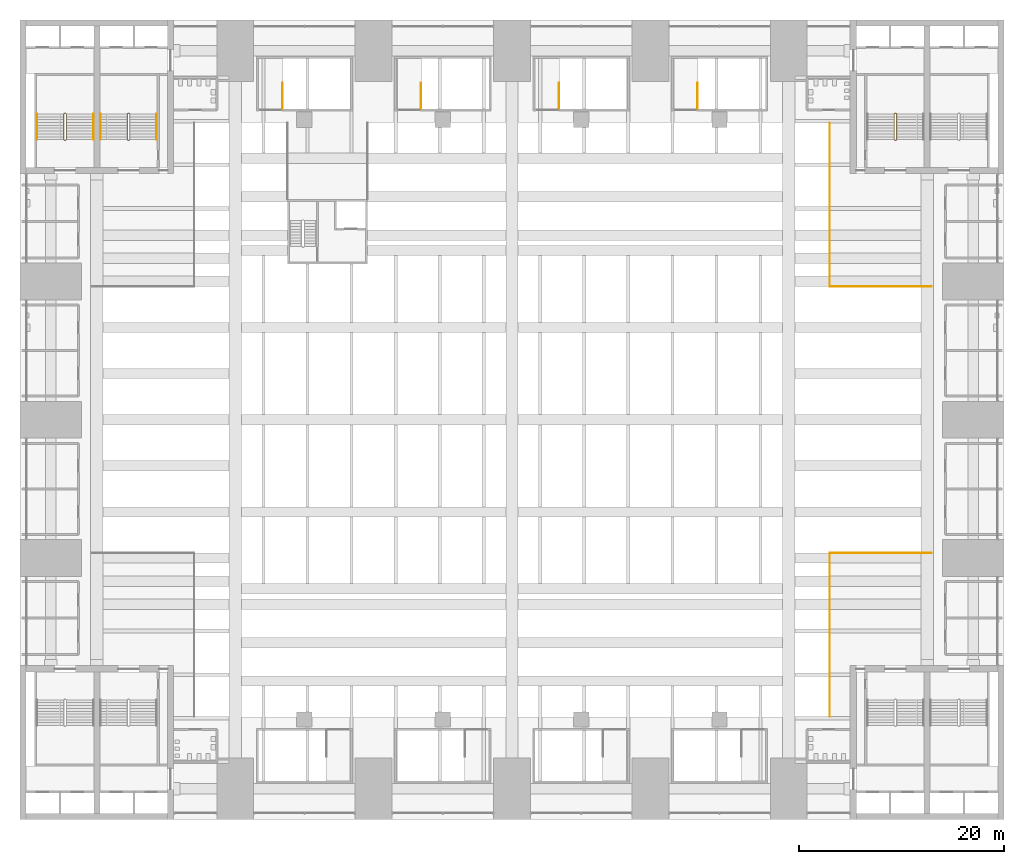
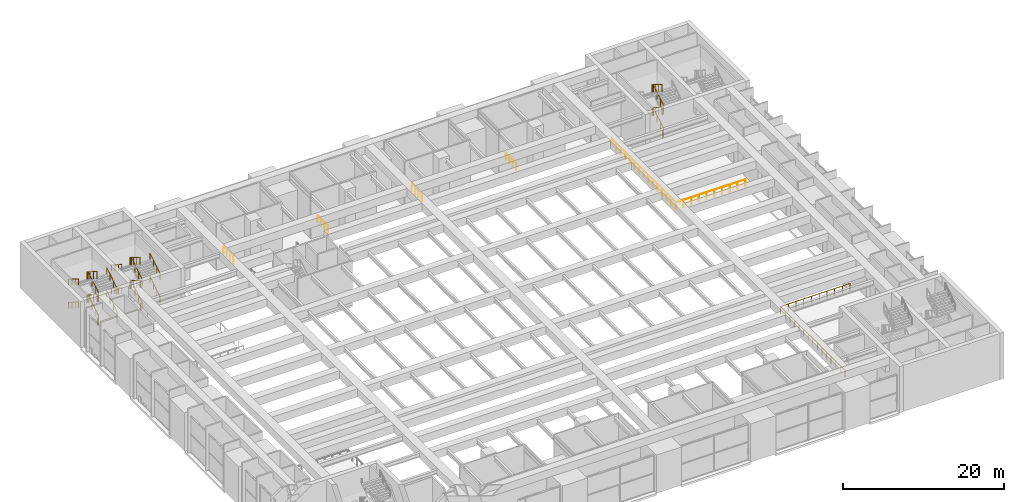
# One storey, part 43 of 45: 11 railings.
"""IFC4 building model written with IfcOpenShell, lengths in metres."""

from ifc_helpers import new_model, si_unit, direction, frame, origin, origin_2d, place, context, subcontext, project, spatial, circle, extrude, material, type_object, element, save


model = new_model("IFC4")

# Units and contexts
model_context = context("Model", 3, precision=1e-05, world=origin(), true_north=direction((0.0, 1.0)))
body_context = subcontext(model_context, "Body", "Model", "MODEL_VIEW")
ifc_project = project(units=[si_unit("LENGTHUNIT", "METRE"), si_unit("AREAUNIT", "SQUARE_METRE"), si_unit("VOLUMEUNIT", "CUBIC_METRE"), si_unit("PLANEANGLEUNIT", "RADIAN"), si_unit("MASSUNIT", "GRAM", prefix="KILO")], contexts=[model_context])

# Site, building, storey
site_placement = place(None, origin())
site = spatial("IfcSite", under=ifc_project, at=site_placement, CompositionType="ELEMENT")
building_placement = place(site_placement, origin())
building = spatial("IfcBuilding", under=site, at=building_placement, Name="Corbelhall Arena Tower", CompositionType="ELEMENT")
storey_placement = place(building_placement, frame((0.0, 0.0, 37.0)))
storey = spatial("IfcBuildingStorey", under=building, at=storey_placement, Name="L05", CompositionType="ELEMENT", Elevation=37.0)

# Railings
ifc_material_1 = material(Name="Stainless steel A4 and laminated glass", Category="steel")
railing_type_1 = type_object("IfcRailingType", Name="AR-GUARD-GLASS", PredefinedType="GUARDRAIL", material=ifc_material_1)
railing_1_placement = place(storey_placement, frame((31.0, 28.949951171875, 0.0)))
element("IfcRailing", 1, at=railing_1_placement, inside=storey, type_object=railing_type_1, Name="Bowl void guard L05 5", PredefinedType="GUARDRAIL", context=body_context, shape_type="SweptSolid", body=[
    extrude(circle(Radius=0.02392578125, at=origin_2d()), frame((0.0, 0.0, 1.076171875), z_axis=(0.0, -1.0, 0.0), x_axis=(1.0, 0.0, 0.0)), (0.0, 0.0, 1.0), 15.949951171875),
    extrude(circle(Radius=0.02392578125, at=origin_2d()), frame((0.0, -15.949951171875, 1.076171875), z_axis=(1.0, 0.0, 0.0), x_axis=(0.0, 1.0, 0.0)), (0.0, 0.0, 1.0), 9.949951171875),
    extrude(circle(Radius=0.02099609375, at=origin_2d()), origin(), (0.0, 0.0, 1.0), 1.052001953125),
    extrude(circle(Radius=0.02099609375, at=origin_2d()), frame((0.0, -1.13916015625, 0.0)), (0.0, 0.0, 1.0), 1.052001953125),
    extrude(circle(Radius=0.02099609375, at=origin_2d()), frame((0.0, -2.278564453125, 0.0)), (0.0, 0.0, 1.0), 1.052001953125),
    extrude(circle(Radius=0.02099609375, at=origin_2d()), frame((0.0, -3.41796875, 0.0)), (0.0, 0.0, 1.0), 1.052001953125),
    extrude(circle(Radius=0.02099609375, at=origin_2d()), frame((0.0, -4.55712890625, 0.0)), (0.0, 0.0, 1.0), 1.052001953125),
    extrude(circle(Radius=0.02099609375, at=origin_2d()), frame((0.0, -5.6962890625, 0.0)), (0.0, 0.0, 1.0), 1.052001953125),
    extrude(circle(Radius=0.02099609375, at=origin_2d()), frame((0.0, -6.835693359375, 0.0)), (0.0, 0.0, 1.0), 1.052001953125),
    extrude(circle(Radius=0.02099609375, at=origin_2d()), frame((0.0, -7.97509765625, 0.0)), (0.0, 0.0, 1.0), 1.052001953125),
    extrude(circle(Radius=0.02099609375, at=origin_2d()), frame((0.0, -9.1142578125, 0.0)), (0.0, 0.0, 1.0), 1.052001953125),
    extrude(circle(Radius=0.02099609375, at=origin_2d()), frame((0.0, -10.25341796875, 0.0)), (0.0, 0.0, 1.0), 1.052001953125),
    extrude(circle(Radius=0.02099609375, at=origin_2d()), frame((0.0, -11.392822265625, 0.0)), (0.0, 0.0, 1.0), 1.052001953125),
    extrude(circle(Radius=0.02099609375, at=origin_2d()), frame((0.0, -12.5322265625, 0.0)), (0.0, 0.0, 1.0), 1.052001953125),
    extrude(circle(Radius=0.02099609375, at=origin_2d()), frame((0.0, -13.67138671875, 0.0)), (0.0, 0.0, 1.0), 1.052001953125),
    extrude(circle(Radius=0.02099609375, at=origin_2d()), frame((0.0, -14.810546875, 0.0)), (0.0, 0.0, 1.0), 1.052001953125),
    extrude(circle(Radius=0.02099609375, at=origin_2d()), frame((0.0, -15.949951171875, 0.0)), (0.0, 0.0, 1.0), 1.052001953125),
    extrude(circle(Radius=0.02099609375, at=origin_2d()), frame((1.10546875, -15.949951171875, 0.0)), (0.0, 0.0, 1.0), 1.052001953125),
    extrude(circle(Radius=0.02099609375, at=origin_2d()), frame((2.211181640625, -15.949951171875, 0.0)), (0.0, 0.0, 1.0), 1.052001953125),
    extrude(circle(Radius=0.02099609375, at=origin_2d()), frame((3.316650390625, -15.949951171875, 0.0)), (0.0, 0.0, 1.0), 1.052001953125),
    extrude(circle(Radius=0.02099609375, at=origin_2d()), frame((4.422119140625, -15.949951171875, 0.0)), (0.0, 0.0, 1.0), 1.052001953125),
    extrude(circle(Radius=0.02099609375, at=origin_2d()), frame((5.52783203125, -15.949951171875, 0.0)), (0.0, 0.0, 1.0), 1.052001953125),
    extrude(circle(Radius=0.02099609375, at=origin_2d()), frame((6.63330078125, -15.949951171875, 0.0)), (0.0, 0.0, 1.0), 1.052001953125),
    extrude(circle(Radius=0.02099609375, at=origin_2d()), frame((7.73876953125, -15.949951171875, 0.0)), (0.0, 0.0, 1.0), 1.052001953125),
    extrude(circle(Radius=0.02099609375, at=origin_2d()), frame((8.844482421875, -15.949951171875, 0.0)), (0.0, 0.0, 1.0), 1.052001953125),
    extrude(circle(Radius=0.02099609375, at=origin_2d()), frame((9.949951171875, -15.949951171875, 0.0)), (0.0, 0.0, 1.0), 1.052001953125),
])
railing_2_placement = place(storey_placement, frame((40.949951171875, -13.0, 0.0)))
element("IfcRailing", 2, at=railing_2_placement, inside=storey, type_object=railing_type_1, Name="Bowl void guard L05 6", PredefinedType="GUARDRAIL", context=body_context, shape_type="SweptSolid", body=[
    extrude(circle(Radius=0.02392578125, at=origin_2d()), frame((0.0, 0.0, 1.076171875), z_axis=(-1.0, 0.0, 0.0), x_axis=(0.0, -1.0, 0.0)), (0.0, 0.0, 1.0), 9.949951171875),
    extrude(circle(Radius=0.02392578125, at=origin_2d()), frame((-9.949951171875, 0.0, 1.076171875), z_axis=(0.0, -1.0, 0.0), x_axis=(1.0, 0.0, 0.0)), (0.0, 0.0, 1.0), 15.949951171875),
    extrude(circle(Radius=0.02099609375, at=origin_2d()), origin(), (0.0, 0.0, 1.0), 1.052001953125),
    extrude(circle(Radius=0.02099609375, at=origin_2d()), frame((-1.10546875, 0.0, 0.0)), (0.0, 0.0, 1.0), 1.052001953125),
    extrude(circle(Radius=0.02099609375, at=origin_2d()), frame((-2.211181640625, 0.0, 0.0)), (0.0, 0.0, 1.0), 1.052001953125),
    extrude(circle(Radius=0.02099609375, at=origin_2d()), frame((-3.316650390625, 0.0, 0.0)), (0.0, 0.0, 1.0), 1.052001953125),
    extrude(circle(Radius=0.02099609375, at=origin_2d()), frame((-4.422119140625, 0.0, 0.0)), (0.0, 0.0, 1.0), 1.052001953125),
    extrude(circle(Radius=0.02099609375, at=origin_2d()), frame((-5.52783203125, 0.0, 0.0)), (0.0, 0.0, 1.0), 1.052001953125),
    extrude(circle(Radius=0.02099609375, at=origin_2d()), frame((-6.63330078125, 0.0, 0.0)), (0.0, 0.0, 1.0), 1.052001953125),
    extrude(circle(Radius=0.02099609375, at=origin_2d()), frame((-7.73876953125, 0.0, 0.0)), (0.0, 0.0, 1.0), 1.052001953125),
    extrude(circle(Radius=0.02099609375, at=origin_2d()), frame((-8.844482421875, 0.0, 0.0)), (0.0, 0.0, 1.0), 1.052001953125),
    extrude(circle(Radius=0.02099609375, at=origin_2d()), frame((-9.949951171875, 0.0, 0.0)), (0.0, 0.0, 1.0), 1.052001953125),
    extrude(circle(Radius=0.02099609375, at=origin_2d()), frame((-9.949951171875, -1.13916015625, 0.0)), (0.0, 0.0, 1.0), 1.052001953125),
    extrude(circle(Radius=0.02099609375, at=origin_2d()), frame((-9.949951171875, -2.278564453125, 0.0)), (0.0, 0.0, 1.0), 1.052001953125),
    extrude(circle(Radius=0.02099609375, at=origin_2d()), frame((-9.949951171875, -3.41796875, 0.0)), (0.0, 0.0, 1.0), 1.052001953125),
    extrude(circle(Radius=0.02099609375, at=origin_2d()), frame((-9.949951171875, -4.55712890625, 0.0)), (0.0, 0.0, 1.0), 1.052001953125),
    extrude(circle(Radius=0.02099609375, at=origin_2d()), frame((-9.949951171875, -5.6962890625, 0.0)), (0.0, 0.0, 1.0), 1.052001953125),
    extrude(circle(Radius=0.02099609375, at=origin_2d()), frame((-9.949951171875, -6.835693359375, 0.0)), (0.0, 0.0, 1.0), 1.052001953125),
    extrude(circle(Radius=0.02099609375, at=origin_2d()), frame((-9.949951171875, -7.97509765625, 0.0)), (0.0, 0.0, 1.0), 1.052001953125),
    extrude(circle(Radius=0.02099609375, at=origin_2d()), frame((-9.949951171875, -9.1142578125, 0.0)), (0.0, 0.0, 1.0), 1.052001953125),
    extrude(circle(Radius=0.02099609375, at=origin_2d()), frame((-9.949951171875, -10.25341796875, 0.0)), (0.0, 0.0, 1.0), 1.052001953125),
    extrude(circle(Radius=0.02099609375, at=origin_2d()), frame((-9.949951171875, -11.392822265625, 0.0)), (0.0, 0.0, 1.0), 1.052001953125),
    extrude(circle(Radius=0.02099609375, at=origin_2d()), frame((-9.949951171875, -12.5322265625, 0.0)), (0.0, 0.0, 1.0), 1.052001953125),
    extrude(circle(Radius=0.02099609375, at=origin_2d()), frame((-9.949951171875, -13.67138671875, 0.0)), (0.0, 0.0, 1.0), 1.052001953125),
    extrude(circle(Radius=0.02099609375, at=origin_2d()), frame((-9.949951171875, -14.810546875, 0.0)), (0.0, 0.0, 1.0), 1.052001953125),
    extrude(circle(Radius=0.02099609375, at=origin_2d()), frame((-9.949951171875, -15.949951171875, 0.0)), (0.0, 0.0, 1.0), 1.052001953125),
])
ifc_material_2 = material(Name="Stainless steel A4", Category="steel")
railing_type_2 = type_object("IfcRailingType", Name="AR-STAIR-GUARD", PredefinedType="GUARDRAIL", material=ifc_material_2)
for number, where, name in (
    (3, (-22.39990234375, 30.300048828125, 0.0), "L05 AS9 top well guards"),
    (4, (-8.89990234375, 30.300048828125, 0.0), "L05 AS10 top well guards"),
    (5, (4.60009765625, 30.300048828125, 0.0), "L05 AS11 top well guards"),
    (6, (18.10009765625, 30.300048828125, 0.0), "L05 AS12 top well guards"),
):
    element("IfcRailing", number, at=place(storey_placement, frame(where)), inside=storey, type_object=railing_type_2, Name=name, PredefinedType="GUARDRAIL", context=body_context, shape_type="SweptSolid", body=[
        extrude(circle(Radius=0.02392578125, at=origin_2d()), frame((0.0, 0.0, 1.076171875), z_axis=(0.0, 1.0, 0.0), x_axis=(-1.0, 0.0, 0.0)), (0.0, 0.0, 1.0), 2.550048828125),
        extrude(circle(Radius=0.02099609375, at=origin_2d()), origin(), (0.0, 0.0, 1.0), 1.052001953125),
        extrude(circle(Radius=0.02099609375, at=origin_2d()), frame((0.0, 0.85009765625, 0.0)), (0.0, 0.0, 1.0), 1.052001953125),
        extrude(circle(Radius=0.02099609375, at=origin_2d()), frame((0.0, 1.699951171875, 0.0)), (0.0, 0.0, 1.0), 1.052001953125),
        extrude(circle(Radius=0.02099609375, at=origin_2d()), frame((0.0, 2.550048828125, 0.0)), (0.0, 0.0, 1.0), 1.052001953125),
    ])
railing_3_placement = place(storey_placement, frame((37.530029296875, 27.320068359375, 0.175048828125)))
element("IfcRailing", 7, at=railing_3_placement, inside=storey, type_object=railing_type_2, Name="L05 AS1 stair guards", PredefinedType="GUARDRAIL", context=body_context, shape_type="SweptSolid", body=[
    extrude(circle(Radius=0.02392578125, at=origin_2d()), frame((0.0, 0.0, 1.076171875), z_axis=(0.0, 0.848007534815, 0.529984170421), x_axis=(-1.0, 0.0, 0.0)), (0.0, 0.0, 1.0), 2.9716796875),
    extrude(circle(Radius=0.02392578125, at=origin_2d()), frame((-0.050048828125, 2.56982421875, 2.65087890625), z_axis=(-1.0, 0.0, 0.0), x_axis=(0.0, -1.0, 0.0)), (0.0, 0.0, 1.0), 0.14990234375),
    extrude(circle(Radius=0.02392578125, at=origin_2d()), frame((-0.25, 2.52001953125, 2.826171875), z_axis=(0.0, -0.848007534815, 0.529984170421), x_axis=(1.0, 0.0, 0.0)), (0.0, 0.0, 1.0), 2.9716796875),
    extrude(circle(Radius=0.02392578125, at=origin_2d()), frame((-0.050048828125, -0.050048828125, 4.40087890625), z_axis=(-1.0, 0.0, 0.0), x_axis=(0.0, -1.0, 0.0)), (0.0, 0.0, 1.0), 0.14990234375),
    extrude(circle(Radius=0.02392578125, at=origin_2d()), frame((0.0, 0.0, 4.576171875), z_axis=(0.0, 0.848007534815, 0.529984170421), x_axis=(-1.0, 0.0, 0.0)), (0.0, 0.0, 1.0), 2.9716796875),
    extrude(circle(Radius=0.02392578125, at=origin_2d()), frame((-0.050048828125, 2.56982421875, 6.15087890625), z_axis=(-1.0, 0.0, 0.0), x_axis=(0.0, -1.0, 0.0)), (0.0, 0.0, 1.0), 0.14990234375),
    extrude(circle(Radius=0.02392578125, at=origin_2d()), frame((-0.25, 2.52001953125, 6.326171875), z_axis=(0.0, -0.848007534815, 0.529984170421), x_axis=(1.0, 0.0, 0.0)), (0.0, 0.0, 1.0), 2.9716796875),
    extrude(circle(Radius=0.02392578125, at=origin_2d()), frame((-0.050048828125, -0.050048828125, 0.90087890625), z_axis=(-1.0, 0.0, 0.0), x_axis=(0.0, -1.0, 0.0)), (0.0, 0.0, 1.0), 0.14990234375),
    extrude(circle(Radius=0.02099609375, at=origin_2d()), origin(), (0.0, 0.0, 1.0), 1.052001953125),
    extrude(circle(Radius=0.02099609375, at=origin_2d()), frame((0.0, 0.840087890625, 0.52490234375)), (0.0, 0.0, 1.0), 1.052001953125),
    extrude(circle(Radius=0.02099609375, at=origin_2d()), frame((0.0, 1.679931640625, 1.050048828125)), (0.0, 0.0, 1.0), 1.052001953125),
    extrude(circle(Radius=0.02099609375, at=origin_2d()), frame((0.0, 2.52001953125, 1.574951171875)), (0.0, 0.0, 1.0), 1.052001953125),
    extrude(circle(Radius=0.02099609375, at=origin_2d()), frame((-0.050048828125, 2.56982421875, 1.574951171875)), (0.0, 0.0, 1.0), 1.052001953125),
    extrude(circle(Radius=0.02099609375, at=origin_2d()), frame((-0.199951171875, 2.56982421875, 1.574951171875)), (0.0, 0.0, 1.0), 1.052001953125),
    extrude(circle(Radius=0.02099609375, at=origin_2d()), frame((-0.25, 2.52001953125, 1.75)), (0.0, 0.0, 1.0), 1.052001953125),
    extrude(circle(Radius=0.02099609375, at=origin_2d()), frame((-0.25, 1.679931640625, 2.27490234375)), (0.0, 0.0, 1.0), 1.052001953125),
    extrude(circle(Radius=0.02099609375, at=origin_2d()), frame((-0.25, 0.840087890625, 2.800048828125)), (0.0, 0.0, 1.0), 1.052001953125),
    extrude(circle(Radius=0.02099609375, at=origin_2d()), frame((-0.25, 0.0, 3.324951171875)), (0.0, 0.0, 1.0), 1.052001953125),
    extrude(circle(Radius=0.02099609375, at=origin_2d()), frame((-0.050048828125, -0.050048828125, 3.324951171875)), (0.0, 0.0, 1.0), 1.052001953125),
    extrude(circle(Radius=0.02099609375, at=origin_2d()), frame((-0.199951171875, -0.050048828125, 3.324951171875)), (0.0, 0.0, 1.0), 1.052001953125),
    extrude(circle(Radius=0.02099609375, at=origin_2d()), frame((0.0, 0.0, 3.5)), (0.0, 0.0, 1.0), 1.052001953125),
    extrude(circle(Radius=0.02099609375, at=origin_2d()), frame((0.0, 0.840087890625, 4.02490234375)), (0.0, 0.0, 1.0), 1.052001953125),
    extrude(circle(Radius=0.02099609375, at=origin_2d()), frame((0.0, 1.679931640625, 4.550048828125)), (0.0, 0.0, 1.0), 1.052001953125),
    extrude(circle(Radius=0.02099609375, at=origin_2d()), frame((0.0, 2.52001953125, 5.074951171875)), (0.0, 0.0, 1.0), 1.052001953125),
    extrude(circle(Radius=0.02099609375, at=origin_2d()), frame((-0.050048828125, 2.56982421875, 5.074951171875)), (0.0, 0.0, 1.0), 1.052001953125),
    extrude(circle(Radius=0.02099609375, at=origin_2d()), frame((-0.199951171875, 2.56982421875, 5.074951171875)), (0.0, 0.0, 1.0), 1.052001953125),
    extrude(circle(Radius=0.02099609375, at=origin_2d()), frame((-0.25, 2.52001953125, 5.25)), (0.0, 0.0, 1.0), 1.052001953125),
    extrude(circle(Radius=0.02099609375, at=origin_2d()), frame((-0.25, 1.679931640625, 5.77490234375)), (0.0, 0.0, 1.0), 1.052001953125),
    extrude(circle(Radius=0.02099609375, at=origin_2d()), frame((-0.25, 0.840087890625, 6.300048828125)), (0.0, 0.0, 1.0), 1.052001953125),
    extrude(circle(Radius=0.02099609375, at=origin_2d()), frame((-0.25, 0.0, 6.824951171875)), (0.0, 0.0, 1.0), 1.052001953125),
    extrude(circle(Radius=0.02099609375, at=origin_2d()), frame((-0.050048828125, -0.050048828125, -0.175048828125)), (0.0, 0.0, 1.0), 1.052001953125),
    extrude(circle(Radius=0.02099609375, at=origin_2d()), frame((-0.199951171875, -0.050048828125, -0.175048828125)), (0.0, 0.0, 1.0), 1.052001953125),
])
railing_4_placement = place(storey_placement, frame((-37.280029296875, 27.320068359375, 0.175048828125)))
element("IfcRailing", 8, at=railing_4_placement, inside=storey, type_object=railing_type_2, Name="L05 AS3 stair guards", PredefinedType="GUARDRAIL", context=body_context, shape_type="SweptSolid", body=[
    extrude(circle(Radius=0.02392578125, at=origin_2d()), frame((0.0, 0.0, 1.076171875), z_axis=(0.0, 0.848007534815, 0.529984170421), x_axis=(-1.0, 0.0, 0.0)), (0.0, 0.0, 1.0), 2.9716796875),
    extrude(circle(Radius=0.02392578125, at=origin_2d()), frame((-0.050048828125, 2.56982421875, 2.65087890625), z_axis=(-1.0, 0.0, 0.0), x_axis=(0.0, -1.0, 0.0)), (0.0, 0.0, 1.0), 0.14990234375),
    extrude(circle(Radius=0.02392578125, at=origin_2d()), frame((-0.25, 2.52001953125, 2.826171875), z_axis=(0.0, -0.848007534815, 0.529984170421), x_axis=(1.0, 0.0, 0.0)), (0.0, 0.0, 1.0), 2.9716796875),
    extrude(circle(Radius=0.02392578125, at=origin_2d()), frame((-0.050048828125, -0.050048828125, 4.40087890625), z_axis=(-1.0, 0.0, 0.0), x_axis=(0.0, -1.0, 0.0)), (0.0, 0.0, 1.0), 0.14990234375),
    extrude(circle(Radius=0.02392578125, at=origin_2d()), frame((0.0, 0.0, 4.576171875), z_axis=(0.0, 0.848007534815, 0.529984170421), x_axis=(-1.0, 0.0, 0.0)), (0.0, 0.0, 1.0), 2.9716796875),
    extrude(circle(Radius=0.02392578125, at=origin_2d()), frame((-0.050048828125, 2.56982421875, 6.15087890625), z_axis=(-1.0, 0.0, 0.0), x_axis=(0.0, -1.0, 0.0)), (0.0, 0.0, 1.0), 0.14990234375),
    extrude(circle(Radius=0.02392578125, at=origin_2d()), frame((-0.25, 2.52001953125, 6.326171875), z_axis=(0.0, -0.848007534815, 0.529984170421), x_axis=(1.0, 0.0, 0.0)), (0.0, 0.0, 1.0), 2.9716796875),
    extrude(circle(Radius=0.02392578125, at=origin_2d()), frame((-0.050048828125, -0.050048828125, 0.90087890625), z_axis=(-1.0, 0.0, 0.0), x_axis=(0.0, -1.0, 0.0)), (0.0, 0.0, 1.0), 0.14990234375),
    extrude(circle(Radius=0.02099609375, at=origin_2d()), origin(), (0.0, 0.0, 1.0), 1.052001953125),
    extrude(circle(Radius=0.02099609375, at=origin_2d()), frame((0.0, 0.840087890625, 0.52490234375)), (0.0, 0.0, 1.0), 1.052001953125),
    extrude(circle(Radius=0.02099609375, at=origin_2d()), frame((0.0, 1.679931640625, 1.050048828125)), (0.0, 0.0, 1.0), 1.052001953125),
    extrude(circle(Radius=0.02099609375, at=origin_2d()), frame((0.0, 2.52001953125, 1.574951171875)), (0.0, 0.0, 1.0), 1.052001953125),
    extrude(circle(Radius=0.02099609375, at=origin_2d()), frame((-0.050048828125, 2.56982421875, 1.574951171875)), (0.0, 0.0, 1.0), 1.052001953125),
    extrude(circle(Radius=0.02099609375, at=origin_2d()), frame((-0.199951171875, 2.56982421875, 1.574951171875)), (0.0, 0.0, 1.0), 1.052001953125),
    extrude(circle(Radius=0.02099609375, at=origin_2d()), frame((-0.25, 2.52001953125, 1.75)), (0.0, 0.0, 1.0), 1.052001953125),
    extrude(circle(Radius=0.02099609375, at=origin_2d()), frame((-0.25, 1.679931640625, 2.27490234375)), (0.0, 0.0, 1.0), 1.052001953125),
    extrude(circle(Radius=0.02099609375, at=origin_2d()), frame((-0.25, 0.840087890625, 2.800048828125)), (0.0, 0.0, 1.0), 1.052001953125),
    extrude(circle(Radius=0.02099609375, at=origin_2d()), frame((-0.25, 0.0, 3.324951171875)), (0.0, 0.0, 1.0), 1.052001953125),
    extrude(circle(Radius=0.02099609375, at=origin_2d()), frame((-0.050048828125, -0.050048828125, 3.324951171875)), (0.0, 0.0, 1.0), 1.052001953125),
    extrude(circle(Radius=0.02099609375, at=origin_2d()), frame((-0.199951171875, -0.050048828125, 3.324951171875)), (0.0, 0.0, 1.0), 1.052001953125),
    extrude(circle(Radius=0.02099609375, at=origin_2d()), frame((0.0, 0.0, 3.5)), (0.0, 0.0, 1.0), 1.052001953125),
    extrude(circle(Radius=0.02099609375, at=origin_2d()), frame((0.0, 0.840087890625, 4.02490234375)), (0.0, 0.0, 1.0), 1.052001953125),
    extrude(circle(Radius=0.02099609375, at=origin_2d()), frame((0.0, 1.679931640625, 4.550048828125)), (0.0, 0.0, 1.0), 1.052001953125),
    extrude(circle(Radius=0.02099609375, at=origin_2d()), frame((0.0, 2.52001953125, 5.074951171875)), (0.0, 0.0, 1.0), 1.052001953125),
    extrude(circle(Radius=0.02099609375, at=origin_2d()), frame((-0.050048828125, 2.56982421875, 5.074951171875)), (0.0, 0.0, 1.0), 1.052001953125),
    extrude(circle(Radius=0.02099609375, at=origin_2d()), frame((-0.199951171875, 2.56982421875, 5.074951171875)), (0.0, 0.0, 1.0), 1.052001953125),
    extrude(circle(Radius=0.02099609375, at=origin_2d()), frame((-0.25, 2.52001953125, 5.25)), (0.0, 0.0, 1.0), 1.052001953125),
    extrude(circle(Radius=0.02099609375, at=origin_2d()), frame((-0.25, 1.679931640625, 5.77490234375)), (0.0, 0.0, 1.0), 1.052001953125),
    extrude(circle(Radius=0.02099609375, at=origin_2d()), frame((-0.25, 0.840087890625, 6.300048828125)), (0.0, 0.0, 1.0), 1.052001953125),
    extrude(circle(Radius=0.02099609375, at=origin_2d()), frame((-0.25, 0.0, 6.824951171875)), (0.0, 0.0, 1.0), 1.052001953125),
    extrude(circle(Radius=0.02099609375, at=origin_2d()), frame((-0.050048828125, -0.050048828125, -0.175048828125)), (0.0, 0.0, 1.0), 1.052001953125),
    extrude(circle(Radius=0.02099609375, at=origin_2d()), frame((-0.199951171875, -0.050048828125, -0.175048828125)), (0.0, 0.0, 1.0), 1.052001953125),
])
railing_5_placement = place(storey_placement, frame((-43.469970703125, 27.320068359375, 0.175048828125)))
element("IfcRailing", 9, at=railing_5_placement, inside=storey, type_object=railing_type_2, Name="L05 AS4 stair guards", PredefinedType="GUARDRAIL", context=body_context, shape_type="SweptSolid", body=[
    extrude(circle(Radius=0.02392578125, at=origin_2d()), frame((0.0, 0.0, 1.076171875), z_axis=(0.0, 0.848007534815, 0.529984170421), x_axis=(-1.0, 0.0, 0.0)), (0.0, 0.0, 1.0), 2.9716796875),
    extrude(circle(Radius=0.02392578125, at=origin_2d()), frame((-0.050048828125, 2.56982421875, 2.65087890625), z_axis=(-1.0, 0.0, 0.0), x_axis=(0.0, -1.0, 0.0)), (0.0, 0.0, 1.0), 0.14990234375),
    extrude(circle(Radius=0.02392578125, at=origin_2d()), frame((-0.25, 2.52001953125, 2.826171875), z_axis=(0.0, -0.848007534815, 0.529984170421), x_axis=(1.0, 0.0, 0.0)), (0.0, 0.0, 1.0), 2.9716796875),
    extrude(circle(Radius=0.02392578125, at=origin_2d()), frame((-0.050048828125, -0.050048828125, 4.40087890625), z_axis=(-1.0, 0.0, 0.0), x_axis=(0.0, -1.0, 0.0)), (0.0, 0.0, 1.0), 0.14990234375),
    extrude(circle(Radius=0.02392578125, at=origin_2d()), frame((0.0, 0.0, 4.576171875), z_axis=(0.0, 0.848007534815, 0.529984170421), x_axis=(-1.0, 0.0, 0.0)), (0.0, 0.0, 1.0), 2.9716796875),
    extrude(circle(Radius=0.02392578125, at=origin_2d()), frame((-0.050048828125, 2.56982421875, 6.15087890625), z_axis=(-1.0, 0.0, 0.0), x_axis=(0.0, -1.0, 0.0)), (0.0, 0.0, 1.0), 0.14990234375),
    extrude(circle(Radius=0.02392578125, at=origin_2d()), frame((-0.25, 2.52001953125, 6.326171875), z_axis=(0.0, -0.848007534815, 0.529984170421), x_axis=(1.0, 0.0, 0.0)), (0.0, 0.0, 1.0), 2.9716796875),
    extrude(circle(Radius=0.02392578125, at=origin_2d()), frame((-0.050048828125, -0.050048828125, 0.90087890625), z_axis=(-1.0, 0.0, 0.0), x_axis=(0.0, -1.0, 0.0)), (0.0, 0.0, 1.0), 0.14990234375),
    extrude(circle(Radius=0.02099609375, at=origin_2d()), origin(), (0.0, 0.0, 1.0), 1.052001953125),
    extrude(circle(Radius=0.02099609375, at=origin_2d()), frame((0.0, 0.840087890625, 0.52490234375)), (0.0, 0.0, 1.0), 1.052001953125),
    extrude(circle(Radius=0.02099609375, at=origin_2d()), frame((0.0, 1.679931640625, 1.050048828125)), (0.0, 0.0, 1.0), 1.052001953125),
    extrude(circle(Radius=0.02099609375, at=origin_2d()), frame((0.0, 2.52001953125, 1.574951171875)), (0.0, 0.0, 1.0), 1.052001953125),
    extrude(circle(Radius=0.02099609375, at=origin_2d()), frame((-0.050048828125, 2.56982421875, 1.574951171875)), (0.0, 0.0, 1.0), 1.052001953125),
    extrude(circle(Radius=0.02099609375, at=origin_2d()), frame((-0.199951171875, 2.56982421875, 1.574951171875)), (0.0, 0.0, 1.0), 1.052001953125),
    extrude(circle(Radius=0.02099609375, at=origin_2d()), frame((-0.25, 2.52001953125, 1.75)), (0.0, 0.0, 1.0), 1.052001953125),
    extrude(circle(Radius=0.02099609375, at=origin_2d()), frame((-0.25, 1.679931640625, 2.27490234375)), (0.0, 0.0, 1.0), 1.052001953125),
    extrude(circle(Radius=0.02099609375, at=origin_2d()), frame((-0.25, 0.840087890625, 2.800048828125)), (0.0, 0.0, 1.0), 1.052001953125),
    extrude(circle(Radius=0.02099609375, at=origin_2d()), frame((-0.25, 0.0, 3.324951171875)), (0.0, 0.0, 1.0), 1.052001953125),
    extrude(circle(Radius=0.02099609375, at=origin_2d()), frame((-0.050048828125, -0.050048828125, 3.324951171875)), (0.0, 0.0, 1.0), 1.052001953125),
    extrude(circle(Radius=0.02099609375, at=origin_2d()), frame((-0.199951171875, -0.050048828125, 3.324951171875)), (0.0, 0.0, 1.0), 1.052001953125),
    extrude(circle(Radius=0.02099609375, at=origin_2d()), frame((0.0, 0.0, 3.5)), (0.0, 0.0, 1.0), 1.052001953125),
    extrude(circle(Radius=0.02099609375, at=origin_2d()), frame((0.0, 0.840087890625, 4.02490234375)), (0.0, 0.0, 1.0), 1.052001953125),
    extrude(circle(Radius=0.02099609375, at=origin_2d()), frame((0.0, 1.679931640625, 4.550048828125)), (0.0, 0.0, 1.0), 1.052001953125),
    extrude(circle(Radius=0.02099609375, at=origin_2d()), frame((0.0, 2.52001953125, 5.074951171875)), (0.0, 0.0, 1.0), 1.052001953125),
    extrude(circle(Radius=0.02099609375, at=origin_2d()), frame((-0.050048828125, 2.56982421875, 5.074951171875)), (0.0, 0.0, 1.0), 1.052001953125),
    extrude(circle(Radius=0.02099609375, at=origin_2d()), frame((-0.199951171875, 2.56982421875, 5.074951171875)), (0.0, 0.0, 1.0), 1.052001953125),
    extrude(circle(Radius=0.02099609375, at=origin_2d()), frame((-0.25, 2.52001953125, 5.25)), (0.0, 0.0, 1.0), 1.052001953125),
    extrude(circle(Radius=0.02099609375, at=origin_2d()), frame((-0.25, 1.679931640625, 5.77490234375)), (0.0, 0.0, 1.0), 1.052001953125),
    extrude(circle(Radius=0.02099609375, at=origin_2d()), frame((-0.25, 0.840087890625, 6.300048828125)), (0.0, 0.0, 1.0), 1.052001953125),
    extrude(circle(Radius=0.02099609375, at=origin_2d()), frame((-0.25, 0.0, 6.824951171875)), (0.0, 0.0, 1.0), 1.052001953125),
    extrude(circle(Radius=0.02099609375, at=origin_2d()), frame((-0.050048828125, -0.050048828125, -0.175048828125)), (0.0, 0.0, 1.0), 1.052001953125),
    extrude(circle(Radius=0.02099609375, at=origin_2d()), frame((-0.199951171875, -0.050048828125, -0.175048828125)), (0.0, 0.0, 1.0), 1.052001953125),
])
railing_type_3 = type_object("IfcRailingType", Name="AR-STAIR-HANDRAIL", PredefinedType="HANDRAIL", material=ifc_material_2)
railing_6_placement = place(storey_placement, frame((-34.659912109375, 27.320068359375, 0.175048828125)))
element("IfcRailing", 10, at=railing_6_placement, inside=storey, type_object=railing_type_3, Name="L05 AS3 stair handrails", PredefinedType="HANDRAIL", context=body_context, shape_type="SweptSolid", body=[
    extrude(circle(Radius=0.02392578125, at=origin_2d()), frame((0.0, 0.0, 0.8759765625), z_axis=(0.0, 0.848007534815, 0.529984170421), x_axis=(-1.0, 0.0, 0.0)), (0.0, 0.0, 1.0), 2.9716796875),
    extrude(circle(Radius=0.02392578125, at=origin_2d()), frame((-5.489990234375, 2.52001953125, 2.6259765625), z_axis=(0.0, -0.848007534815, 0.529984170421), x_axis=(1.0, 0.0, 0.0)), (0.0, 0.0, 1.0), 2.9716796875),
    extrude(circle(Radius=0.02392578125, at=origin_2d()), frame((0.0, 0.0, 4.3759765625), z_axis=(0.0, 0.848007534815, 0.529984170421), x_axis=(-1.0, 0.0, 0.0)), (0.0, 0.0, 1.0), 2.9716796875),
    extrude(circle(Radius=0.02392578125, at=origin_2d()), frame((-5.489990234375, 2.52001953125, 6.1259765625), z_axis=(0.0, -0.848007534815, 0.529984170421), x_axis=(1.0, 0.0, 0.0)), (0.0, 0.0, 1.0), 2.9716796875),
    extrude(circle(Radius=0.02099609375, at=origin_2d()), origin(), (0.0, 0.0, 1.0), 0.851806640625),
    extrude(circle(Radius=0.02099609375, at=origin_2d()), frame((0.0, 0.840087890625, 0.52490234375)), (0.0, 0.0, 1.0), 0.851806640625),
    extrude(circle(Radius=0.02099609375, at=origin_2d()), frame((0.0, 1.679931640625, 1.050048828125)), (0.0, 0.0, 1.0), 0.851806640625),
    extrude(circle(Radius=0.02099609375, at=origin_2d()), frame((0.0, 2.52001953125, 1.574951171875)), (0.0, 0.0, 1.0), 0.851806640625),
    extrude(circle(Radius=0.02099609375, at=origin_2d()), frame((-5.489990234375, 2.52001953125, 1.75)), (0.0, 0.0, 1.0), 0.851806640625),
    extrude(circle(Radius=0.02099609375, at=origin_2d()), frame((-5.489990234375, 1.679931640625, 2.27490234375)), (0.0, 0.0, 1.0), 0.851806640625),
    extrude(circle(Radius=0.02099609375, at=origin_2d()), frame((-5.489990234375, 0.840087890625, 2.800048828125)), (0.0, 0.0, 1.0), 0.851806640625),
    extrude(circle(Radius=0.02099609375, at=origin_2d()), frame((-5.489990234375, 0.0, 3.324951171875)), (0.0, 0.0, 1.0), 0.851806640625),
    extrude(circle(Radius=0.02099609375, at=origin_2d()), frame((0.0, 0.0, 3.5)), (0.0, 0.0, 1.0), 0.851806640625),
    extrude(circle(Radius=0.02099609375, at=origin_2d()), frame((0.0, 0.840087890625, 4.02490234375)), (0.0, 0.0, 1.0), 0.851806640625),
    extrude(circle(Radius=0.02099609375, at=origin_2d()), frame((0.0, 1.679931640625, 4.550048828125)), (0.0, 0.0, 1.0), 0.851806640625),
    extrude(circle(Radius=0.02099609375, at=origin_2d()), frame((0.0, 2.52001953125, 5.074951171875)), (0.0, 0.0, 1.0), 0.851806640625),
    extrude(circle(Radius=0.02099609375, at=origin_2d()), frame((-5.489990234375, 2.52001953125, 5.25)), (0.0, 0.0, 1.0), 0.851806640625),
    extrude(circle(Radius=0.02099609375, at=origin_2d()), frame((-5.489990234375, 1.679931640625, 5.77490234375)), (0.0, 0.0, 1.0), 0.851806640625),
    extrude(circle(Radius=0.02099609375, at=origin_2d()), frame((-5.489990234375, 0.840087890625, 6.300048828125)), (0.0, 0.0, 1.0), 0.851806640625),
    extrude(circle(Radius=0.02099609375, at=origin_2d()), frame((-5.489990234375, 0.0, 6.824951171875)), (0.0, 0.0, 1.0), 0.851806640625),
])
railing_7_placement = place(storey_placement, frame((-40.85009765625, 27.320068359375, 0.175048828125)))
element("IfcRailing", 11, at=railing_7_placement, inside=storey, type_object=railing_type_3, Name="L05 AS4 stair handrails", PredefinedType="HANDRAIL", context=body_context, shape_type="SweptSolid", body=[
    extrude(circle(Radius=0.02392578125, at=origin_2d()), frame((0.0, 0.0, 0.8759765625), z_axis=(0.0, 0.848007534815, 0.529984170421), x_axis=(-1.0, 0.0, 0.0)), (0.0, 0.0, 1.0), 2.9716796875),
    extrude(circle(Radius=0.02392578125, at=origin_2d()), frame((-5.489990234375, 2.52001953125, 2.6259765625), z_axis=(0.0, -0.848007534815, 0.529984170421), x_axis=(1.0, 0.0, 0.0)), (0.0, 0.0, 1.0), 2.9716796875),
    extrude(circle(Radius=0.02392578125, at=origin_2d()), frame((0.0, 0.0, 4.3759765625), z_axis=(0.0, 0.848007534815, 0.529984170421), x_axis=(-1.0, 0.0, 0.0)), (0.0, 0.0, 1.0), 2.9716796875),
    extrude(circle(Radius=0.02392578125, at=origin_2d()), frame((-5.489990234375, 2.52001953125, 6.1259765625), z_axis=(0.0, -0.848007534815, 0.529984170421), x_axis=(1.0, 0.0, 0.0)), (0.0, 0.0, 1.0), 2.9716796875),
    extrude(circle(Radius=0.02099609375, at=origin_2d()), origin(), (0.0, 0.0, 1.0), 0.851806640625),
    extrude(circle(Radius=0.02099609375, at=origin_2d()), frame((0.0, 0.840087890625, 0.52490234375)), (0.0, 0.0, 1.0), 0.851806640625),
    extrude(circle(Radius=0.02099609375, at=origin_2d()), frame((0.0, 1.679931640625, 1.050048828125)), (0.0, 0.0, 1.0), 0.851806640625),
    extrude(circle(Radius=0.02099609375, at=origin_2d()), frame((0.0, 2.52001953125, 1.574951171875)), (0.0, 0.0, 1.0), 0.851806640625),
    extrude(circle(Radius=0.02099609375, at=origin_2d()), frame((-5.489990234375, 2.52001953125, 1.75)), (0.0, 0.0, 1.0), 0.851806640625),
    extrude(circle(Radius=0.02099609375, at=origin_2d()), frame((-5.489990234375, 1.679931640625, 2.27490234375)), (0.0, 0.0, 1.0), 0.851806640625),
    extrude(circle(Radius=0.02099609375, at=origin_2d()), frame((-5.489990234375, 0.840087890625, 2.800048828125)), (0.0, 0.0, 1.0), 0.851806640625),
    extrude(circle(Radius=0.02099609375, at=origin_2d()), frame((-5.489990234375, 0.0, 3.324951171875)), (0.0, 0.0, 1.0), 0.851806640625),
    extrude(circle(Radius=0.02099609375, at=origin_2d()), frame((0.0, 0.0, 3.5)), (0.0, 0.0, 1.0), 0.851806640625),
    extrude(circle(Radius=0.02099609375, at=origin_2d()), frame((0.0, 0.840087890625, 4.02490234375)), (0.0, 0.0, 1.0), 0.851806640625),
    extrude(circle(Radius=0.02099609375, at=origin_2d()), frame((0.0, 1.679931640625, 4.550048828125)), (0.0, 0.0, 1.0), 0.851806640625),
    extrude(circle(Radius=0.02099609375, at=origin_2d()), frame((0.0, 2.52001953125, 5.074951171875)), (0.0, 0.0, 1.0), 0.851806640625),
    extrude(circle(Radius=0.02099609375, at=origin_2d()), frame((-5.489990234375, 2.52001953125, 5.25)), (0.0, 0.0, 1.0), 0.851806640625),
    extrude(circle(Radius=0.02099609375, at=origin_2d()), frame((-5.489990234375, 1.679931640625, 5.77490234375)), (0.0, 0.0, 1.0), 0.851806640625),
    extrude(circle(Radius=0.02099609375, at=origin_2d()), frame((-5.489990234375, 0.840087890625, 6.300048828125)), (0.0, 0.0, 1.0), 0.851806640625),
    extrude(circle(Radius=0.02099609375, at=origin_2d()), frame((-5.489990234375, 0.0, 6.824951171875)), (0.0, 0.0, 1.0), 0.851806640625),
])

save(model, "model.ifc")
